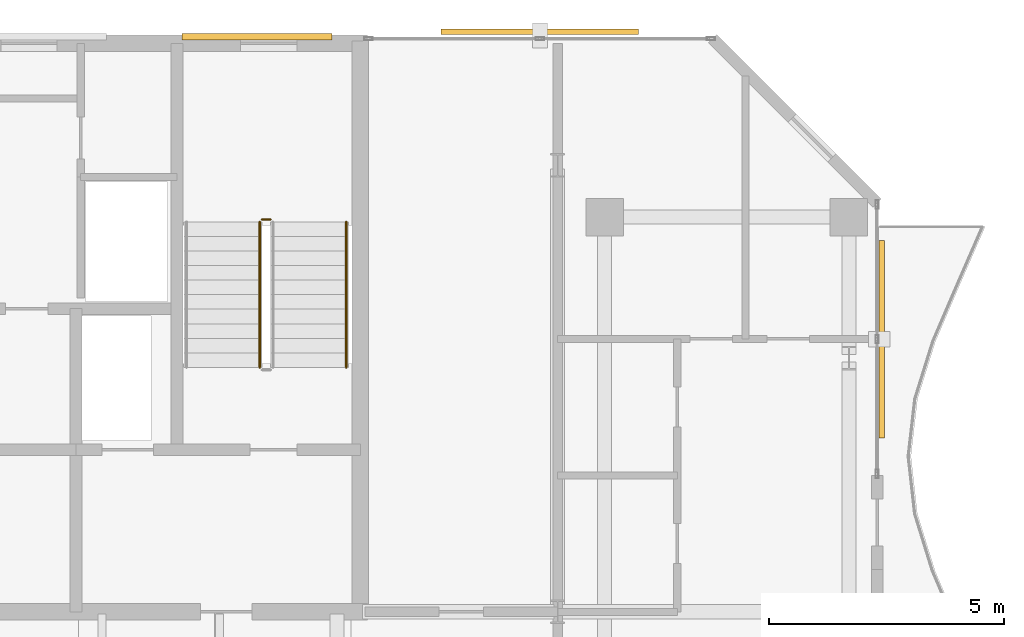
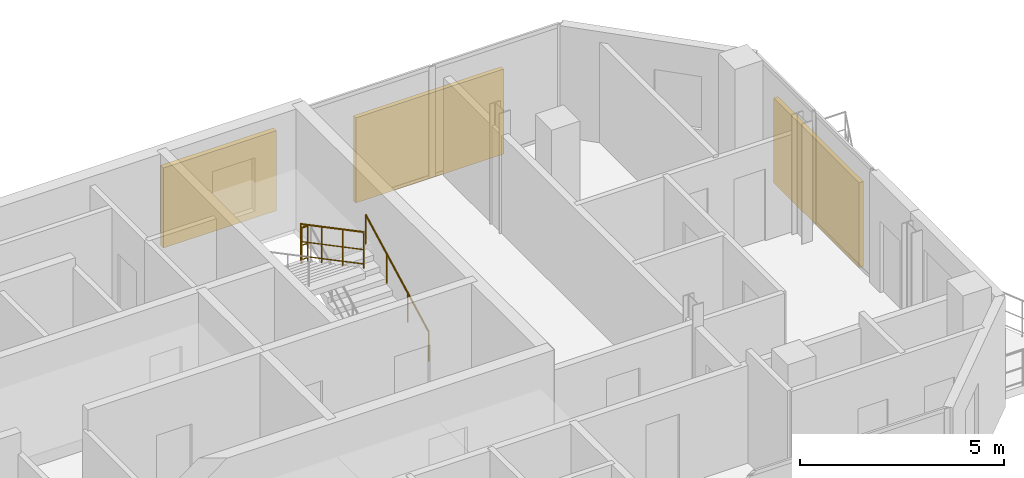
# One storey, part 24 of 24: 3 railings, 3 shading devices.
"""IFC4 building model written with IfcOpenShell, lengths in metres."""

from ifc_helpers import new_model, si_unit, direction, frame, origin, origin_2d, place, context, subcontext, project, spatial, rectangle, circle, extrude, material, type_object, element, save


model = new_model("IFC4")

# Units and contexts
model_context = context("Model", 3, precision=1e-05, world=origin(), true_north=direction((0.0, 1.0)))
body_context = subcontext(model_context, "Body", "Model", "MODEL_VIEW")
ifc_project = project(units=[si_unit("LENGTHUNIT", "METRE"), si_unit("AREAUNIT", "SQUARE_METRE"), si_unit("VOLUMEUNIT", "CUBIC_METRE"), si_unit("PLANEANGLEUNIT", "RADIAN"), si_unit("MASSUNIT", "GRAM", prefix="KILO")], contexts=[model_context])

# Site, building, storey
site_placement = place(None, origin())
site = spatial("IfcSite", under=ifc_project, at=site_placement, CompositionType="ELEMENT")
building_placement = place(site_placement, origin())
building = spatial("IfcBuilding", under=site, at=building_placement, Name="Catumbela Crestline Tower", CompositionType="ELEMENT")
storey_placement = place(building_placement, frame((0.0, 0.0, 161.4)))
storey = spatial("IfcBuildingStorey", under=building, at=storey_placement, Name="L41", CompositionType="ELEMENT", Elevation=161.4)

# Railings
ifc_material_1 = material(Name="Stainless steel EN 1.4401", Category="steel")
railing_type_1 = type_object("IfcRailingType", Name="RG-1100", PredefinedType="GUARDRAIL", material=ifc_material_1)
railing_1_placement = place(storey_placement, frame((38.09, 39.15, 1.8)))
element("IfcRailing", 1, at=railing_1_placement, inside=storey, type_object=railing_type_1, Name="L41 ST-02 stair guard 2", PredefinedType="GUARDRAIL", context=body_context, shape_type="SweptSolid", body=[
    extrude(circle(Radius=0.024, at=origin_2d()), frame((0.0, 0.0, 1.076), z_axis=(-1.0, 0.0, 0.0), x_axis=(0.0, -1.0, 0.0)), (0.0, 0.0, 1.0), 0.18),
    extrude(circle(Radius=0.0156, at=origin_2d()), frame((0.0, 0.0, 0.55), z_axis=(-1.0, 0.0, 0.0), x_axis=(0.0, -1.0, 0.0)), (0.0, 0.0, 1.0), 0.18),
    extrude(circle(Radius=0.0156, at=origin_2d()), frame((0.0, 0.0, 0.12), z_axis=(-1.0, 0.0, 0.0), x_axis=(0.0, -1.0, 0.0)), (0.0, 0.0, 1.0), 0.18),
    extrude(circle(Radius=0.021, at=origin_2d()), origin(), (0.0, 0.0, 1.0), 1.052),
    extrude(circle(Radius=0.021, at=origin_2d()), frame((-0.18, 0.0, 0.0)), (0.0, 0.0, 1.0), 1.052),
])
railing_2_placement = place(storey_placement, frame((37.86, 39.1, 1.9636)))
element("IfcRailing", 2, at=railing_2_placement, inside=storey, type_object=railing_type_1, Name="L41 ST-02 stair guard 3", PredefinedType="GUARDRAIL", context=body_context, shape_type="SweptSolid", body=[
    extrude(circle(Radius=0.024, at=origin_2d()), frame((0.0, 0.0, 1.076), z_axis=(0.0, -0.884350731049, 0.466823076222), x_axis=(1.0, 0.0, 0.0)), (0.0, 0.0, 1.0), 3.5054),
    extrude(circle(Radius=0.0156, at=origin_2d()), frame((0.0, 0.0, 0.55), z_axis=(0.0, -0.884350731049, 0.466823076222), x_axis=(1.0, 0.0, 0.0)), (0.0, 0.0, 1.0), 3.5054),
    extrude(circle(Radius=0.0156, at=origin_2d()), frame((0.0, 0.0, 0.12), z_axis=(0.0, -0.884350731049, 0.466823076222), x_axis=(1.0, 0.0, 0.0)), (0.0, 0.0, 1.0), 3.5054),
    extrude(circle(Radius=0.021, at=origin_2d()), origin(), (0.0, 0.0, 1.0), 1.052),
    extrude(circle(Radius=0.021, at=origin_2d()), frame((0.0, -1.0333, 0.5455)), (0.0, 0.0, 1.0), 1.052),
    extrude(circle(Radius=0.021, at=origin_2d()), frame((0.0, -2.0667, 1.0909)), (0.0, 0.0, 1.0), 1.052),
    extrude(circle(Radius=0.021, at=origin_2d()), frame((0.0, -3.1, 1.6364)), (0.0, 0.0, 1.0), 1.052),
])
railing_type_2 = type_object("IfcRailingType", Name="RH-0900", PredefinedType="HANDRAIL", material=ifc_material_1)
railing_3_placement = place(storey_placement, frame((39.7, 36.0, 0.1636)))
element("IfcRailing", 3, at=railing_3_placement, inside=storey, type_object=railing_type_2, Name="L41 ST-02 stair handrail 1", PredefinedType="HANDRAIL", context=body_context, shape_type="SweptSolid", body=[
    extrude(circle(Radius=0.024, at=origin_2d()), frame((0.0, 0.0, 0.876), z_axis=(0.0, 0.884350731049, 0.466823076222), x_axis=(-1.0, 0.0, 0.0)), (0.0, 0.0, 1.0), 3.5054),
    extrude(circle(Radius=0.021, at=origin_2d()), origin(), (0.0, 0.0, 1.0), 0.852),
    extrude(circle(Radius=0.021, at=origin_2d()), frame((0.0, 1.0333, 0.5455)), (0.0, 0.0, 1.0), 0.852),
    extrude(circle(Radius=0.021, at=origin_2d()), frame((0.0, 2.0667, 1.0909)), (0.0, 0.0, 1.0), 0.852),
    extrude(circle(Radius=0.021, at=origin_2d()), frame((0.0, 3.1, 1.6364)), (0.0, 0.0, 1.0), 0.852),
])

# Shading devices
ifc_material_2 = material(Name="Extruded terracotta ceramic", Category="masonry")
shading_device_type_1 = type_object("IfcShadingDeviceType", Name="ST-180", PredefinedType="USERDEFINED", material=ifc_material_2)
shading_device_1_placement = place(storey_placement, frame((51.099, 36.6, -0.1), z_axis=(0.0, 0.0, 1.0), x_axis=(0.0, 1.0, 0.0)))
element("IfcShadingDevice", 4, at=shading_device_1_placement, inside=storey, type_object=shading_device_type_1, Name="L41 Perforated Terracotta Solar Screen 454 (180 mm)", ObjectType="SCREEN", PredefinedType="USERDEFINED", context=body_context, shape_type="SweptSolid", body=[
    extrude(rectangle(XDim=4.2, YDim=0.12, at=origin_2d()), origin(), (0.0, 0.0, 1.0), 2.55),
])
shading_device_type_2 = type_object("IfcShadingDeviceType", Name="ST-260", PredefinedType="USERDEFINED", material=ifc_material_2)
shading_device_2_placement = place(storey_placement, frame((43.82, 43.143, -0.1), z_axis=(0.0, 0.0, 1.0), x_axis=(-1.0, 0.0, 0.0)))
element("IfcShadingDevice", 5, at=shading_device_2_placement, inside=storey, type_object=shading_device_type_2, Name="L41 Perforated Terracotta Solar Screen 455 (260 mm)", ObjectType="SCREEN", PredefinedType="USERDEFINED", context=body_context, shape_type="SweptSolid", body=[
    extrude(rectangle(XDim=4.2, YDim=0.12, at=origin_2d()), origin(), (0.0, 0.0, 1.0), 2.55),
])
shading_device_type_3 = type_object("IfcShadingDeviceType", Name="ST-340", PredefinedType="USERDEFINED", material=ifc_material_2)
shading_device_3_placement = place(storey_placement, frame((37.8, 43.04, 0.55), z_axis=(0.0, 0.0, 1.0), x_axis=(1.0, 0.0, 0.0)))
element("IfcShadingDevice", 6, at=shading_device_3_placement, inside=storey, type_object=shading_device_type_3, Name="L41 Rear Core Terracotta Brise-Soleil Screen 447", ObjectType="SCREEN", PredefinedType="USERDEFINED", context=body_context, shape_type="SweptSolid", body=[
    extrude(rectangle(XDim=3.2, YDim=0.14, at=origin_2d()), origin(), (0.0, 0.0, 1.0), 2.4),
])

save(model, "model.ifc")
